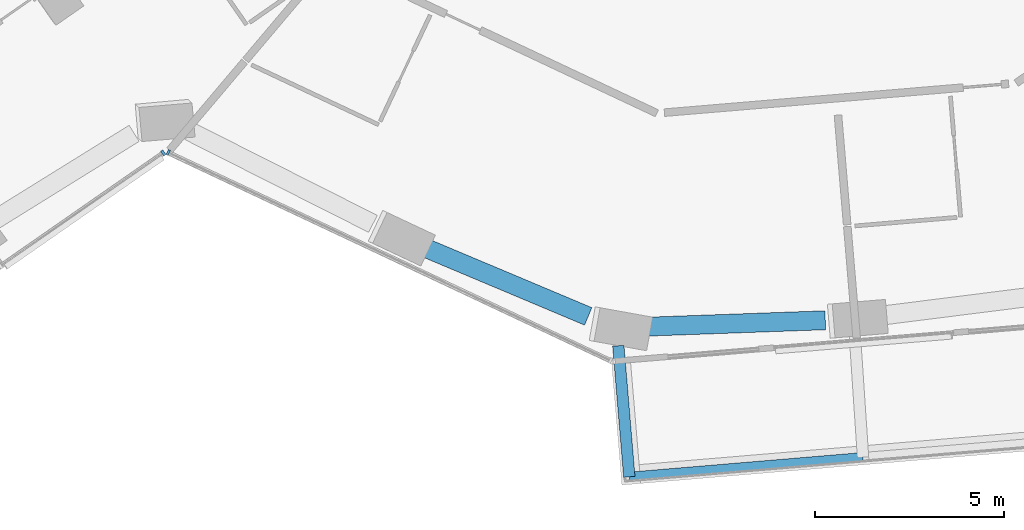
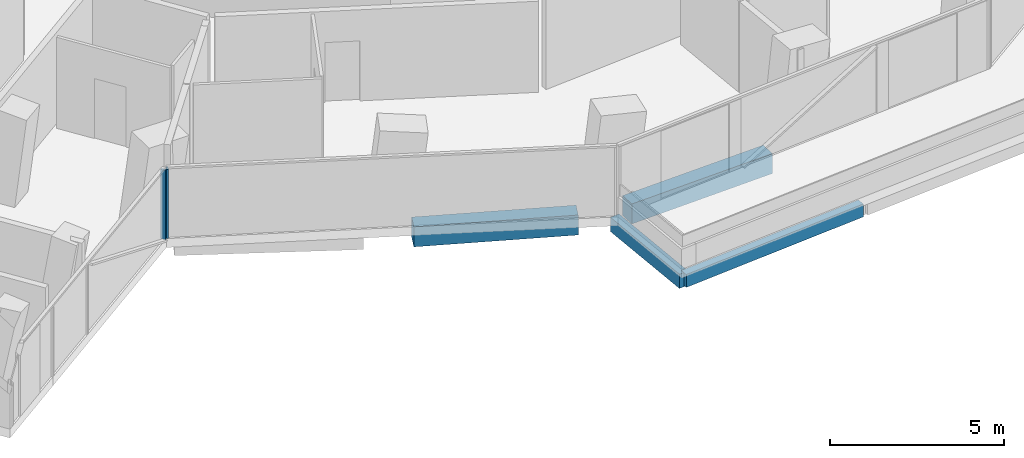
# One storey, part 3 of 26: 4 beams, 2 members, 2 elements without a shape of their own.
"""IFC4 building model written with IfcOpenShell, lengths in metres."""

from ifc_helpers import new_model, si_unit, direction, frame, origin, origin_2d, place, context, subcontext, project, spatial, rectangle, extrude, material, layer, layer_set, material_profile, profile_set, type_object, element, aggregate, save


model = new_model("IFC4")

# Units and contexts
model_context = context("Model", 3, precision=1e-05, world=origin(), true_north=direction((0.0, 1.0)))
body_context = subcontext(model_context, "Body", "Model", "MODEL_VIEW")
ifc_project = project(units=[si_unit("LENGTHUNIT", "METRE"), si_unit("AREAUNIT", "SQUARE_METRE"), si_unit("VOLUMEUNIT", "CUBIC_METRE"), si_unit("PLANEANGLEUNIT", "RADIAN"), si_unit("MASSUNIT", "GRAM", prefix="KILO")], contexts=[model_context])

# Site, building, storey
site_placement = place(None, origin())
site = spatial("IfcSite", under=ifc_project, at=site_placement, CompositionType="ELEMENT")
building_placement = place(site_placement, origin())
building = spatial("IfcBuilding", under=site, at=building_placement, Name="Verdalira Terraces Hotel", CompositionType="ELEMENT")
storey_placement = place(building_placement, frame((0.0, 0.0, 53.0)))
storey = spatial("IfcBuildingStorey", under=building, at=storey_placement, Name="L11", CompositionType="ELEMENT", Elevation=53.0)

# Beams
ifc_material_1 = material(Name="Concrete C40", Category="concrete")
ifc_material_profile_1 = material_profile(ifc_material_1, rectangle(XDim=0.300049, YDim=0.5, at=origin_2d()), Name="RC 300X500")
ifc_profile_set_1 = profile_set([ifc_material_profile_1], Name="Concrete C40")
beam_type_1 = type_object("IfcBeamType", Name="Balcony cantilever beam RC 300X500 C40", PredefinedType="BEAM", material=ifc_profile_set_1)
beam_1_placement = place(storey_placement, frame((-4.272949, -24.229248, -0.560059), z_axis=(0.083685654, -0.996492203, 0.0), x_axis=(0.996492203, 0.083685654, 0.0)))
element("IfcBeam", 1, at=beam_1_placement, inside=storey, type_object=beam_type_1, Name="Balcony cantilever beam R26-1", PredefinedType="BEAM", context=body_context, shape_type="SweptSolid", body=[
    extrude(rectangle(XDim=0.300049, YDim=0.5, at=origin_2d()), origin(), (0.0, 0.0, 1.0), 3.47168),
])
ifc_material_2 = material(Name="Concrete C40", Category="concrete")
ifc_material_profile_2 = material_profile(ifc_material_2, rectangle(XDim=0.25, YDim=0.449951, at=origin_2d()), Name="RC 250X450")
ifc_profile_set_2 = profile_set([ifc_material_profile_2], Name="Concrete C40")
beam_type_2 = type_object("IfcBeamType", Name="Balcony edge beam RC 250X450 C40", PredefinedType="BEAM", material=ifc_profile_set_2)
beam_2_placement = place(storey_placement, frame((-3.982422, -27.688721, -0.534912), z_axis=(0.996493877, 0.083665724, 0.0), x_axis=(-0.083665724, 0.996493877, 0.0)))
element("IfcBeam", 2, at=beam_2_placement, inside=storey, type_object=beam_type_2, Name="Balcony edge beam R26-1", PredefinedType="BEAM", context=body_context, shape_type="SweptSolid", body=[
    extrude(rectangle(XDim=0.25, YDim=0.449951, at=origin_2d()), origin(), (0.0, 0.0, 1.0), 6.189209),
])

# Curtain wall, member
ifc_material_3 = material(Name="Clear glass", Category="glass")
ifc_layer_1 = layer(ifc_material_3, 0.14990234375)
ifc_layer_set_1 = layer_set([ifc_layer_1], Name="CW1 curtain wall")
curtain_wall_type_1 = type_object("IfcCurtainWallType", Name="CW1 curtain wall", PredefinedType="NOTDEFINED", material=ifc_layer_set_1)
curtain_wall_1_placement = place(storey_placement, origin())
curtain_wall_1 = element("IfcCurtainWall", 3, at=curtain_wall_1_placement, inside=storey, type_object=curtain_wall_type_1, Name="CW1 curtain wall L11 edge 25", PredefinedType="NOTDEFINED")
ifc_material_4 = material(Name="Terracotta frame", Category="masonry")
ifc_material_profile_3 = material_profile(ifc_material_4, rectangle(XDim=0.060059, YDim=0.149902, at=origin_2d()), Name="MU 60x150")
ifc_profile_set_3 = profile_set([ifc_material_profile_3], Name="Terracotta frame")
member_type_1 = type_object("IfcMemberType", Name="CW1 mullion 60x150", PredefinedType="MULLION", material=ifc_profile_set_3)
member_1_placement = place(storey_placement, frame((-16.150879, -19.126953, 0.0), z_axis=(0.0, 0.0, 1.0), x_axis=(0.904827052, -0.425779292, 0.0)))
member_1 = element("IfcMember", 4, at=member_1_placement, type_object=member_type_1, Name="CW1 mullion", PredefinedType="MULLION", context=body_context, shape_type="SweptSolid", body=[
    extrude(rectangle(XDim=0.060059, YDim=0.149902, at=origin_2d()), origin(), (0.0, 0.0, 1.0), 2.425049),
])
aggregate(curtain_wall_1, [member_1])

ifc_material_5 = material(Name="Clear glass", Category="glass")
ifc_layer_2 = layer(ifc_material_5, 0.14990234375)
ifc_layer_set_2 = layer_set([ifc_layer_2], Name="CW2 curtain wall")
curtain_wall_type_2 = type_object("IfcCurtainWallType", Name="CW2 curtain wall", PredefinedType="NOTDEFINED", material=ifc_layer_set_2)
curtain_wall_2_placement = place(storey_placement, origin())
curtain_wall_2 = element("IfcCurtainWall", 5, at=curtain_wall_2_placement, inside=storey, type_object=curtain_wall_type_2, Name="CW2 curtain wall L11 edge 24", PredefinedType="NOTDEFINED")
ifc_material_6 = material(Name="Terracotta frame", Category="masonry")
ifc_material_profile_4 = material_profile(ifc_material_6, rectangle(XDim=0.070068, YDim=0.149902, at=origin_2d()), Name="MU 70x150")
ifc_profile_set_4 = profile_set([ifc_material_profile_4], Name="Terracotta frame")
member_type_2 = type_object("IfcMemberType", Name="CW2 mullion 70x150", PredefinedType="MULLION", material=ifc_profile_set_4)
member_2_placement = place(storey_placement, frame((-16.281494, -19.140381, 0.0), z_axis=(0.0, 0.0, 1.0), x_axis=(0.821149209, 0.570713568, 0.0)))
member_2 = element("IfcMember", 6, at=member_2_placement, type_object=member_type_2, Name="CW2 mullion", PredefinedType="MULLION", context=body_context, shape_type="SweptSolid", body=[
    extrude(rectangle(XDim=0.070068, YDim=0.149902, at=origin_2d()), origin(), (0.0, 0.0, 1.0), 2.425049),
])
aggregate(curtain_wall_2, [member_2])

# Beams
ifc_material_7 = material(Name="Concrete C70", Category="concrete")
ifc_material_profile_5 = material_profile(ifc_material_7, rectangle(XDim=0.5, YDim=0.699951, at=origin_2d()), Name="RC 500X700")
ifc_profile_set_5 = profile_set([ifc_material_profile_5], Name="Concrete C70")
beam_type_3 = type_object("IfcBeamType", Name="Spandrel beam RC 500X700 C70", PredefinedType="SPANDREL", material=ifc_profile_set_5)
beam_3_placement = place(storey_placement, frame((-9.450684, -21.610352, -0.659912), z_axis=(0.92175613, -0.387770082, 0.0), x_axis=(0.387770082, 0.92175613, 0.0)))
element("IfcBeam", 7, at=beam_3_placement, inside=storey, type_object=beam_type_3, Name="Spandrel beam B20", PredefinedType="SPANDREL", context=body_context, shape_type="SweptSolid", body=[
    extrude(rectangle(XDim=0.5, YDim=0.699951, at=origin_2d()), origin(), (0.0, 0.0, 1.0), 4.755371),
])
beam_4_placement = place(storey_placement, frame((-3.568115, -23.727295, -0.659912), z_axis=(0.999356894, 0.03585804, 0.0), x_axis=(-0.03585804, 0.999356894, 0.0)))
element("IfcBeam", 8, at=beam_4_placement, inside=storey, type_object=beam_type_3, Name="Spandrel beam B21", PredefinedType="SPANDREL", context=body_context, shape_type="SweptSolid", body=[
    extrude(rectangle(XDim=0.5, YDim=0.699951, at=origin_2d()), origin(), (0.0, 0.0, 1.0), 4.759277),
])

save(model, "model.ifc")
